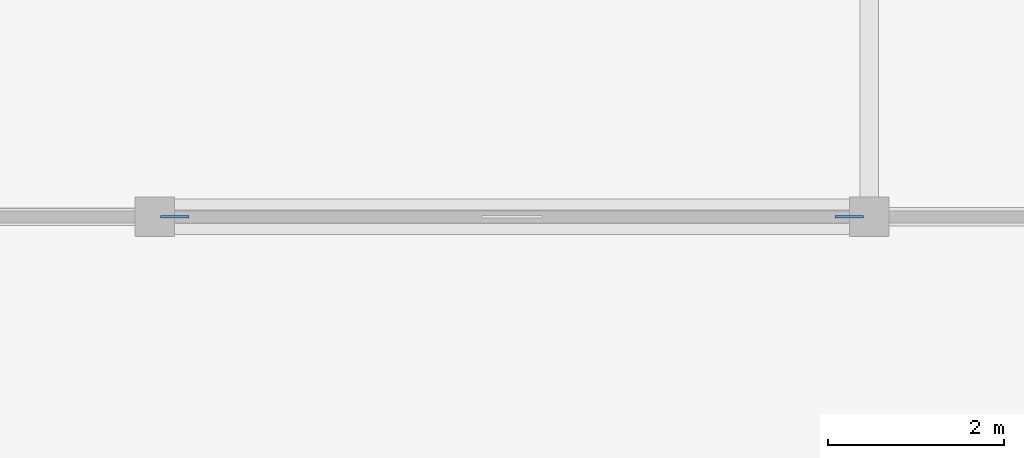
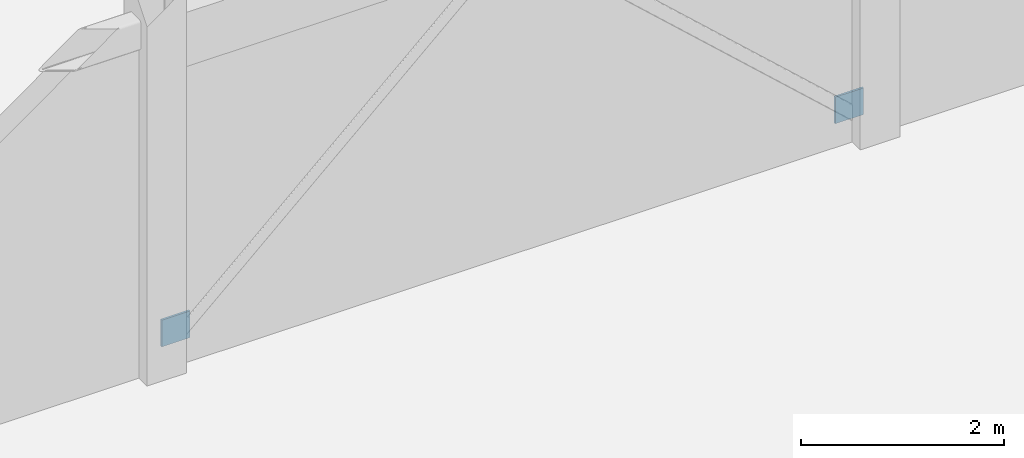
# One storey, part 79 of 93: 2 discrete accessories.
"""IFC4 building model written with IfcOpenShell, lengths in metres."""

from ifc_helpers import new_model, si_unit, direction, frame, origin, origin_2d, place, context, subcontext, project, spatial, rectangle, extrude, material, type_object, element, save


model = new_model("IFC4")

# Units and contexts
model_context = context("Model", 3, precision=1e-05, world=origin(), true_north=direction((0.0, 1.0)))
body_context = subcontext(model_context, "Body", "Model", "MODEL_VIEW")
ifc_project = project(units=[si_unit("LENGTHUNIT", "METRE"), si_unit("AREAUNIT", "SQUARE_METRE"), si_unit("VOLUMEUNIT", "CUBIC_METRE"), si_unit("PLANEANGLEUNIT", "RADIAN"), si_unit("MASSUNIT", "GRAM", prefix="KILO")], contexts=[model_context])

# Site, building, storey
site_placement = place(None, origin())
site = spatial("IfcSite", under=ifc_project, at=site_placement, CompositionType="ELEMENT")
building_placement = place(site_placement, origin())
building = spatial("IfcBuilding", under=site, at=building_placement, Name="Vaudrelin Polytechnic", CompositionType="ELEMENT")
storey_placement = place(building_placement, frame((0.0, 0.0, 5.10009765625)))
storey = spatial("IfcBuildingStorey", under=building, at=storey_placement, Name="L01", CompositionType="ELEMENT", Elevation=5.10009765625)

# Discrete accessories
ifc_material = material(Name="Steel CSA G40.21 350WT", Category="steel")
discrete_accessory_type = type_object("IfcDiscreteAccessoryType", Name="ACC-CPL-01", PredefinedType="BRACKET", material=ifc_material)
for number, where, z_axis, x_axis, name in (
    (1, (113.625, 32.39990234375, 0.23974609375), (0.0, 0.0, 1.0), (1.0, 0.0, 0.0), "Brace end connection plate CPL-015"),
    (2, (121.27490234375, 32.39990234375, 0.23974609375), (0.0, 0.0, 1.0), (1.0, 0.0, 0.0), "Brace end connection plate CPL-016"),
):
    element("IfcDiscreteAccessory", number, at=place(storey_placement, frame(where, z_axis=z_axis, x_axis=x_axis)), inside=storey, type_object=discrete_accessory_type, Name=name, PredefinedType="BRACKET", context=body_context, shape_type="SweptSolid", body=[
        extrude(rectangle(XDim=0.320068359375, YDim=0.02392578125, at=origin_2d()), origin(), (0.0, 0.0, 1.0), 0.320068359375),
    ])

save(model, "model.ifc")
